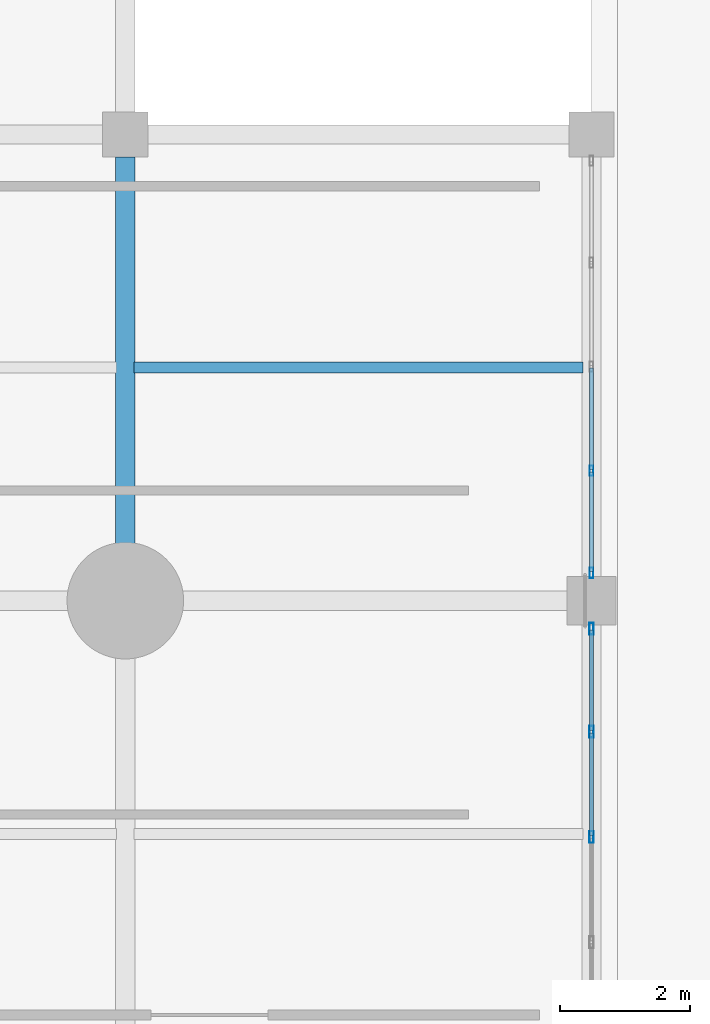
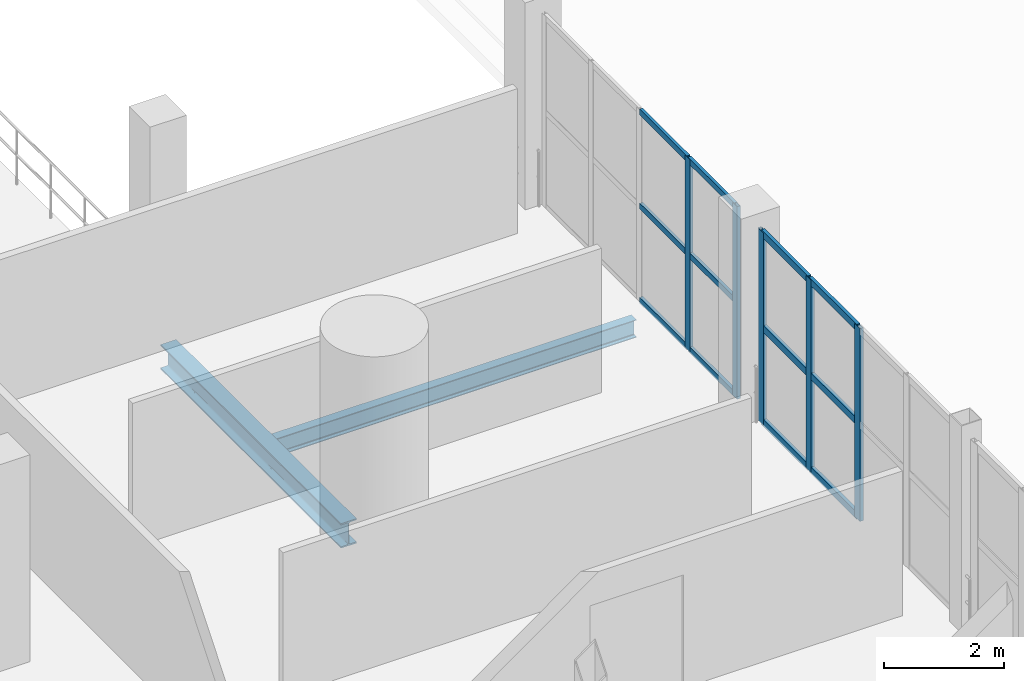
# One storey, part 67 of 130: 17 members, 2 beams, 2 elements without a shape of their own.
"""IFC4 building model written with IfcOpenShell, lengths in metres."""

from ifc_helpers import new_model, si_unit, direction, frame, origin, origin_2d, place, context, subcontext, project, spatial, hollow_rectangle, i_section, extrude, material, material_profile, profile_set, type_object, element, aggregate, save


model = new_model("IFC4")

# Units and contexts
model_context = context("Model", 3, precision=1e-05, world=origin(), true_north=direction((0.0, 1.0)))
body_context = subcontext(model_context, "Body", "Model", "MODEL_VIEW")
ifc_project = project(units=[si_unit("LENGTHUNIT", "METRE"), si_unit("AREAUNIT", "SQUARE_METRE"), si_unit("VOLUMEUNIT", "CUBIC_METRE"), si_unit("PLANEANGLEUNIT", "RADIAN"), si_unit("MASSUNIT", "GRAM", prefix="KILO")], contexts=[model_context])

# Site, building, storey
site_placement = place(None, origin())
site = spatial("IfcSite", under=ifc_project, at=site_placement, CompositionType="ELEMENT")
building_placement = place(site_placement, origin())
building = spatial("IfcBuilding", under=site, at=building_placement, Name="Qandorah Velis Arena", CompositionType="ELEMENT")
storey_placement = place(building_placement, frame((0.0, 0.0, 9.60009765625)))
storey = spatial("IfcBuildingStorey", under=building, at=storey_placement, Name="L02", CompositionType="ELEMENT", Elevation=9.60009765625)

# Curtain wall, members
ifc_material_1 = material(Name="Solar-control low-E double glazing", Category="glass")
curtain_wall_type_1 = type_object("IfcCurtainWallType", Name="ARC-CW-SYS07", PredefinedType="USERDEFINED", material=ifc_material_1)
curtain_wall_1_placement = place(storey_placement, origin())
curtain_wall_1 = element("IfcCurtainWall", 1, at=curtain_wall_1_placement, inside=storey, type_object=curtain_wall_type_1, Name="Unitised curtain wall L02-175", ObjectType="UNITISED CURTAIN WALL", PredefinedType="USERDEFINED")
ifc_material_2 = material(Name="Champagne-bronze anodized aluminium 6063-T6", Category="aluminium")
ifc_material_profile_1 = material_profile(ifc_material_2, hollow_rectangle(XDim=0.06005859375, YDim=0.159912109375, WallThickness=0.00341796875, at=origin_2d()), Name="ALU MULLION 60x160")
ifc_profile_set_1 = profile_set([ifc_material_profile_1], Name="Champagne-bronze anodized aluminium 6063-T6")
member_type_1 = type_object("IfcMemberType", Name="ARC-CWM-160", PredefinedType="MULLION", material=ifc_profile_set_1)
member_1_placement = place(storey_placement, frame((122.39990234375, 101.22998046875, -0.01513671875), z_axis=(0.0, 0.0, 1.0), x_axis=(-1.0, 0.0, 0.0)))
member_1 = element("IfcMember", 2, at=member_1_placement, type_object=member_type_1, Name="CW07 mullion 1", PredefinedType="MULLION", context=body_context, shape_type="SweptSolid", body=[
    extrude(hollow_rectangle(XDim=0.06005859375, YDim=0.159912109375, WallThickness=0.00341796875, at=origin_2d()), origin(), (0.0, 0.0, 1.0), 3.91015625),
])
member_2_placement = place(storey_placement, frame((122.39990234375, 102.80615234375, -0.01513671875), z_axis=(0.0, 0.0, 1.0), x_axis=(-1.0, 0.0, 0.0)))
member_2 = element("IfcMember", 3, at=member_2_placement, type_object=member_type_1, Name="CW07 mullion 2", PredefinedType="MULLION", context=body_context, shape_type="SweptSolid", body=[
    extrude(hollow_rectangle(XDim=0.06005859375, YDim=0.159912109375, WallThickness=0.00341796875, at=origin_2d()), origin(), (0.0, 0.0, 1.0), 3.91015625),
])

curtain_wall_type_2 = type_object("IfcCurtainWallType", Name="ARC-CW-SYS06", PredefinedType="USERDEFINED", material=ifc_material_1)
curtain_wall_2_placement = place(storey_placement, origin())
curtain_wall_2 = element("IfcCurtainWall", 4, at=curtain_wall_2_placement, inside=storey, type_object=curtain_wall_type_2, Name="Unitised curtain wall L02-174", ObjectType="UNITISED CURTAIN WALL", PredefinedType="USERDEFINED")
ifc_material_profile_2 = material_profile(ifc_material_2, hollow_rectangle(XDim=0.06494140625, YDim=0.179931640625, WallThickness=0.00341796875, at=origin_2d()), Name="ALU MULLION 65x180")
ifc_profile_set_2 = profile_set([ifc_material_profile_2], Name="Champagne-bronze anodized aluminium 6063-T6")
member_type_2 = type_object("IfcMemberType", Name="ARC-CWM-180", PredefinedType="MULLION", material=ifc_profile_set_2)
member_3_placement = place(storey_placement, frame((122.39990234375, 97.14990234375, -0.01513671875), z_axis=(0.0, 0.0, 1.0), x_axis=(-1.0, 0.0, 0.0)))
member_3 = element("IfcMember", 5, at=member_3_placement, type_object=member_type_2, Name="CW06 mullion 3", PredefinedType="MULLION", context=body_context, shape_type="SweptSolid", body=[
    extrude(hollow_rectangle(XDim=0.06494140625, YDim=0.179931640625, WallThickness=0.00341796875, at=origin_2d()), origin(), (0.0, 0.0, 1.0), 3.91015625),
])
member_4_placement = place(storey_placement, frame((122.39990234375, 98.77490234375, -0.01513671875), z_axis=(0.0, 0.0, 1.0), x_axis=(-1.0, 0.0, 0.0)))
member_4 = element("IfcMember", 6, at=member_4_placement, type_object=member_type_2, Name="CW06 mullion 4", PredefinedType="MULLION", context=body_context, shape_type="SweptSolid", body=[
    extrude(hollow_rectangle(XDim=0.06494140625, YDim=0.179931640625, WallThickness=0.00341796875, at=origin_2d()), origin(), (0.0, 0.0, 1.0), 3.91015625),
])
member_5_placement = place(storey_placement, frame((122.39990234375, 100.367431640625, -0.01513671875), z_axis=(0.0, 0.0, 1.0), x_axis=(-1.0, 0.0, 0.0)))
member_5 = element("IfcMember", 7, at=member_5_placement, type_object=member_type_2, Name="CW06 mullion 5", PredefinedType="MULLION", context=body_context, shape_type="SweptSolid", body=[
    extrude(hollow_rectangle(XDim=0.06494140625, YDim=0.179931640625, WallThickness=0.00341796875, at=origin_2d()), origin(), (0.0, 0.0, 1.0), 3.91015625),
])

# Member
ifc_material_profile_3 = material_profile(ifc_material_2, hollow_rectangle(XDim=0.06005859375, YDim=0.1201171875, WallThickness=0.0029296875, at=origin_2d()), Name="ALU TRANSOM 60x120")
ifc_profile_set_3 = profile_set([ifc_material_profile_3], Name="Champagne-bronze anodized aluminium 6063-T6")
member_type_3 = type_object("IfcMemberType", Name="ARC-CWT-120", PredefinedType="USERDEFINED", material=ifc_profile_set_3)
member_6_placement = place(storey_placement, frame((122.39990234375, 101.248046875, 0.02978515625), z_axis=(0.0, 1.0, 0.0), x_axis=(-1.0, 0.0, 0.0)))
member_6 = element("IfcMember", 8, at=member_6_placement, type_object=member_type_3, Name="CW07 transom 1.1", ObjectType="TRANSOM", PredefinedType="USERDEFINED", context=body_context, shape_type="SweptSolid", body=[
    extrude(hollow_rectangle(XDim=0.06005859375, YDim=0.1201171875, WallThickness=0.0029296875, at=origin_2d()), origin(), (0.0, 0.0, 1.0), 1.540283203125),
])

member_7_placement = place(storey_placement, frame((122.39990234375, 101.248046875, 1.93994140625), z_axis=(0.0, 1.0, 0.0), x_axis=(-1.0, 0.0, 0.0)))
member_7 = element("IfcMember", 9, at=member_7_placement, type_object=member_type_3, Name="CW07 transom 1.2", ObjectType="TRANSOM", PredefinedType="USERDEFINED", context=body_context, shape_type="SweptSolid", body=[
    extrude(hollow_rectangle(XDim=0.06005859375, YDim=0.1201171875, WallThickness=0.0029296875, at=origin_2d()), origin(), (0.0, 0.0, 1.0), 1.540283203125),
])

member_8_placement = place(storey_placement, frame((122.39990234375, 101.248046875, 3.849853515625), z_axis=(0.0, 1.0, 0.0), x_axis=(-1.0, 0.0, 0.0)))
member_8 = element("IfcMember", 10, at=member_8_placement, type_object=member_type_3, Name="CW07 transom 1.3", ObjectType="TRANSOM", PredefinedType="USERDEFINED", context=body_context, shape_type="SweptSolid", body=[
    extrude(hollow_rectangle(XDim=0.06005859375, YDim=0.1201171875, WallThickness=0.0029296875, at=origin_2d()), origin(), (0.0, 0.0, 1.0), 1.540283203125),
])

member_9_placement = place(storey_placement, frame((122.39990234375, 102.82421875, 0.02978515625), z_axis=(0.0, 1.0, 0.0), x_axis=(-1.0, 0.0, 0.0)))
member_9 = element("IfcMember", 11, at=member_9_placement, type_object=member_type_3, Name="CW07 transom 2.1", ObjectType="TRANSOM", PredefinedType="USERDEFINED", context=body_context, shape_type="SweptSolid", body=[
    extrude(hollow_rectangle(XDim=0.06005859375, YDim=0.1201171875, WallThickness=0.0029296875, at=origin_2d()), origin(), (0.0, 0.0, 1.0), 1.5703125),
])

member_10_placement = place(storey_placement, frame((122.39990234375, 102.82421875, 1.93994140625), z_axis=(0.0, 1.0, 0.0), x_axis=(-1.0, 0.0, 0.0)))
member_10 = element("IfcMember", 12, at=member_10_placement, type_object=member_type_3, Name="CW07 transom 2.2", ObjectType="TRANSOM", PredefinedType="USERDEFINED", context=body_context, shape_type="SweptSolid", body=[
    extrude(hollow_rectangle(XDim=0.06005859375, YDim=0.1201171875, WallThickness=0.0029296875, at=origin_2d()), origin(), (0.0, 0.0, 1.0), 1.5703125),
])

member_11_placement = place(storey_placement, frame((122.39990234375, 102.82421875, 3.849853515625), z_axis=(0.0, 1.0, 0.0), x_axis=(-1.0, 0.0, 0.0)))
member_11 = element("IfcMember", 13, at=member_11_placement, type_object=member_type_3, Name="CW07 transom 2.3", ObjectType="TRANSOM", PredefinedType="USERDEFINED", context=body_context, shape_type="SweptSolid", body=[
    extrude(hollow_rectangle(XDim=0.06005859375, YDim=0.1201171875, WallThickness=0.0029296875, at=origin_2d()), origin(), (0.0, 0.0, 1.0), 1.5703125),
])

aggregate(curtain_wall_1, [member_1, member_2, member_6, member_7, member_8, member_9, member_10, member_11])

ifc_material_profile_4 = material_profile(ifc_material_2, hollow_rectangle(XDim=0.06494140625, YDim=0.139892578125, WallThickness=0.0029296875, at=origin_2d()), Name="ALU TRANSOM 65x140")
ifc_profile_set_4 = profile_set([ifc_material_profile_4], Name="Champagne-bronze anodized aluminium 6063-T6")
member_type_4 = type_object("IfcMemberType", Name="ARC-CWT-140", PredefinedType="USERDEFINED", material=ifc_profile_set_4)
member_12_placement = place(storey_placement, frame((122.39990234375, 97.17041015625, 0.032470703125), z_axis=(0.0, 1.0, 0.0), x_axis=(-1.0, 0.0, 0.0)))
member_12 = element("IfcMember", 14, at=member_12_placement, type_object=member_type_4, Name="CW06 transom 3.1", ObjectType="TRANSOM", PredefinedType="USERDEFINED", context=body_context, shape_type="SweptSolid", body=[
    extrude(hollow_rectangle(XDim=0.06494140625, YDim=0.139892578125, WallThickness=0.0029296875, at=origin_2d()), origin(), (0.0, 0.0, 1.0), 1.583984375),
])

member_13_placement = place(storey_placement, frame((122.39990234375, 97.17041015625, 1.93994140625), z_axis=(0.0, 1.0, 0.0), x_axis=(-1.0, 0.0, 0.0)))
member_13 = element("IfcMember", 15, at=member_13_placement, type_object=member_type_4, Name="CW06 transom 3.2", ObjectType="TRANSOM", PredefinedType="USERDEFINED", context=body_context, shape_type="SweptSolid", body=[
    extrude(hollow_rectangle(XDim=0.06494140625, YDim=0.139892578125, WallThickness=0.0029296875, at=origin_2d()), origin(), (0.0, 0.0, 1.0), 1.583984375),
])

member_14_placement = place(storey_placement, frame((122.39990234375, 97.17041015625, 3.847412109375), z_axis=(0.0, 1.0, 0.0), x_axis=(-1.0, 0.0, 0.0)))
member_14 = element("IfcMember", 16, at=member_14_placement, type_object=member_type_4, Name="CW06 transom 3.3", ObjectType="TRANSOM", PredefinedType="USERDEFINED", context=body_context, shape_type="SweptSolid", body=[
    extrude(hollow_rectangle(XDim=0.06494140625, YDim=0.139892578125, WallThickness=0.0029296875, at=origin_2d()), origin(), (0.0, 0.0, 1.0), 1.583984375),
])

member_15_placement = place(storey_placement, frame((122.39990234375, 98.79541015625, 0.032470703125), z_axis=(0.0, 1.0, 0.0), x_axis=(-1.0, 0.0, 0.0)))
member_15 = element("IfcMember", 17, at=member_15_placement, type_object=member_type_4, Name="CW06 transom 4.1", ObjectType="TRANSOM", PredefinedType="USERDEFINED", context=body_context, shape_type="SweptSolid", body=[
    extrude(hollow_rectangle(XDim=0.06494140625, YDim=0.139892578125, WallThickness=0.0029296875, at=origin_2d()), origin(), (0.0, 0.0, 1.0), 1.551513671875),
])

member_16_placement = place(storey_placement, frame((122.39990234375, 98.79541015625, 1.93994140625), z_axis=(0.0, 1.0, 0.0), x_axis=(-1.0, 0.0, 0.0)))
member_16 = element("IfcMember", 18, at=member_16_placement, type_object=member_type_4, Name="CW06 transom 4.2", ObjectType="TRANSOM", PredefinedType="USERDEFINED", context=body_context, shape_type="SweptSolid", body=[
    extrude(hollow_rectangle(XDim=0.06494140625, YDim=0.139892578125, WallThickness=0.0029296875, at=origin_2d()), origin(), (0.0, 0.0, 1.0), 1.551513671875),
])

member_17_placement = place(storey_placement, frame((122.39990234375, 98.79541015625, 3.847412109375), z_axis=(0.0, 1.0, 0.0), x_axis=(-1.0, 0.0, 0.0)))
member_17 = element("IfcMember", 19, at=member_17_placement, type_object=member_type_4, Name="CW06 transom 4.3", ObjectType="TRANSOM", PredefinedType="USERDEFINED", context=body_context, shape_type="SweptSolid", body=[
    extrude(hollow_rectangle(XDim=0.06494140625, YDim=0.139892578125, WallThickness=0.0029296875, at=origin_2d()), origin(), (0.0, 0.0, 1.0), 1.551513671875),
])

aggregate(curtain_wall_2, [member_3, member_4, member_5, member_12, member_13, member_14, member_15, member_16, member_17])

# Beams
ifc_material_3 = material(Name="Steel S355", Category="steel")
ifc_material_profile_5 = material_profile(ifc_material_3, i_section(OverallWidth=0.300048828125, OverallDepth=0.5, WebThickness=0.014404296875, FlangeThickness=0.028076171875, FilletRadius=0.027099609375, at=origin_2d()), Name="HEB 500")
ifc_profile_set_5 = profile_set([ifc_material_profile_5], Name="Steel S355")
beam_type_1 = type_object("IfcBeamType", Name="STR-BM-HEB500", PredefinedType="BEAM", material=ifc_profile_set_5)
beam_1_placement = place(storey_placement, frame((115.199951171875, 101.64990234375, -0.530029296875), z_axis=(0.0, 1.0, 0.0), x_axis=(-1.0, 0.0, 0.0)))
element("IfcBeam", 20, at=beam_1_placement, inside=storey, type_object=beam_type_1, Name="Primary floor girder L02 Y-318", PredefinedType="BEAM", context=body_context, shape_type="SweptSolid", body=[
    extrude(i_section(OverallWidth=0.300048828125, OverallDepth=0.5, WebThickness=0.014404296875, FlangeThickness=0.028076171875, FilletRadius=0.027099609375, at=origin_2d()), origin(), (0.0, 0.0, 1.0), 6.0),
])
ifc_material_profile_6 = material_profile(ifc_material_3, i_section(OverallWidth=0.169921875, OverallDepth=0.360107421875, WebThickness=0.008056640625, FlangeThickness=0.0126953125, FilletRadius=0.01806640625, at=origin_2d()), Name="IPE 360")
ifc_profile_set_6 = profile_set([ifc_material_profile_6], Name="Steel S355")
beam_type_2 = type_object("IfcBeamType", Name="STR-JST-IPE360", PredefinedType="JOIST", material=ifc_profile_set_6)
beam_2_placement = place(storey_placement, frame((115.3349609375, 104.39990234375, -0.460205078125), z_axis=(1.0, 0.0, 0.0), x_axis=(0.0, 1.0, 0.0)))
element("IfcBeam", 21, at=beam_2_placement, inside=storey, type_object=beam_type_2, Name="Secondary floor joist L02-093", PredefinedType="JOIST", context=body_context, shape_type="SweptSolid", body=[
    extrude(i_section(OverallWidth=0.169921875, OverallDepth=0.360107421875, WebThickness=0.008056640625, FlangeThickness=0.0126953125, FilletRadius=0.01806640625, at=origin_2d()), origin(), (0.0, 0.0, 1.0), 6.929931640625),
])

save(model, "model.ifc")
